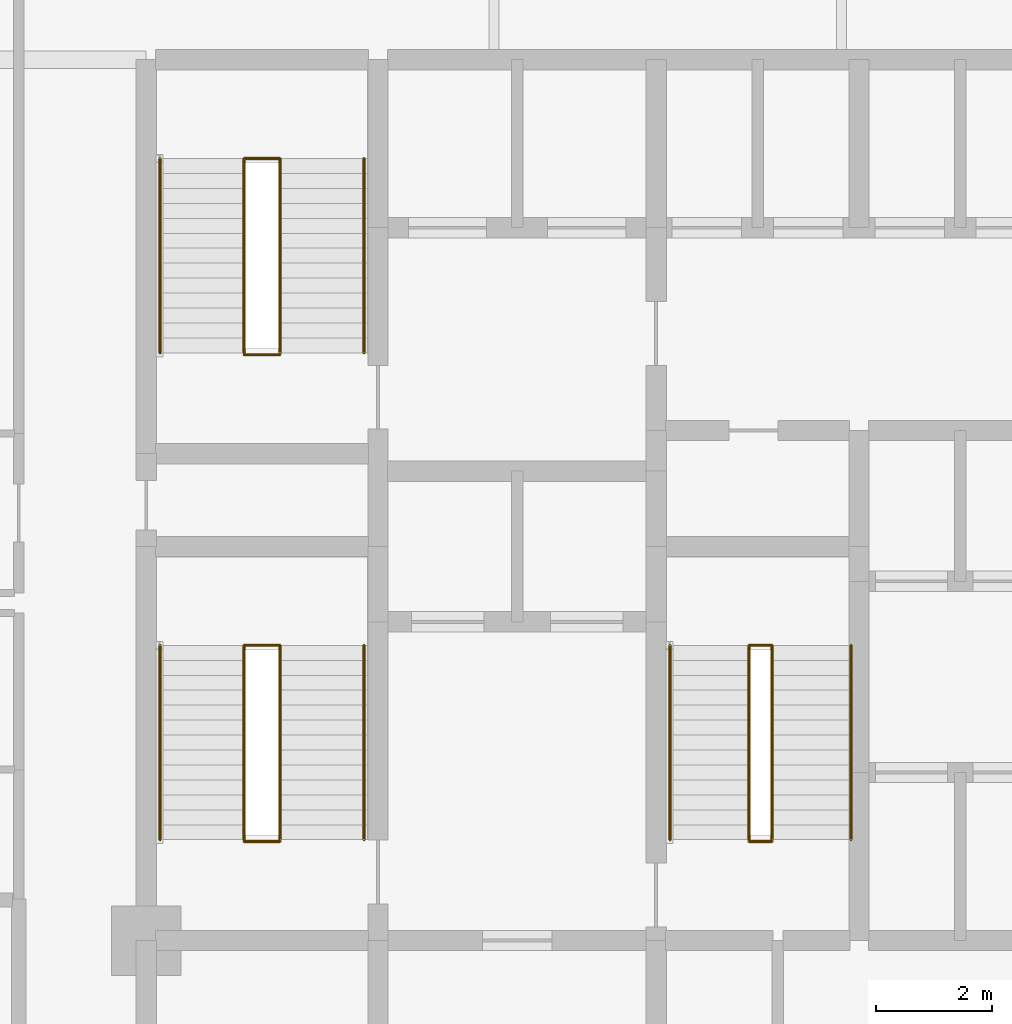
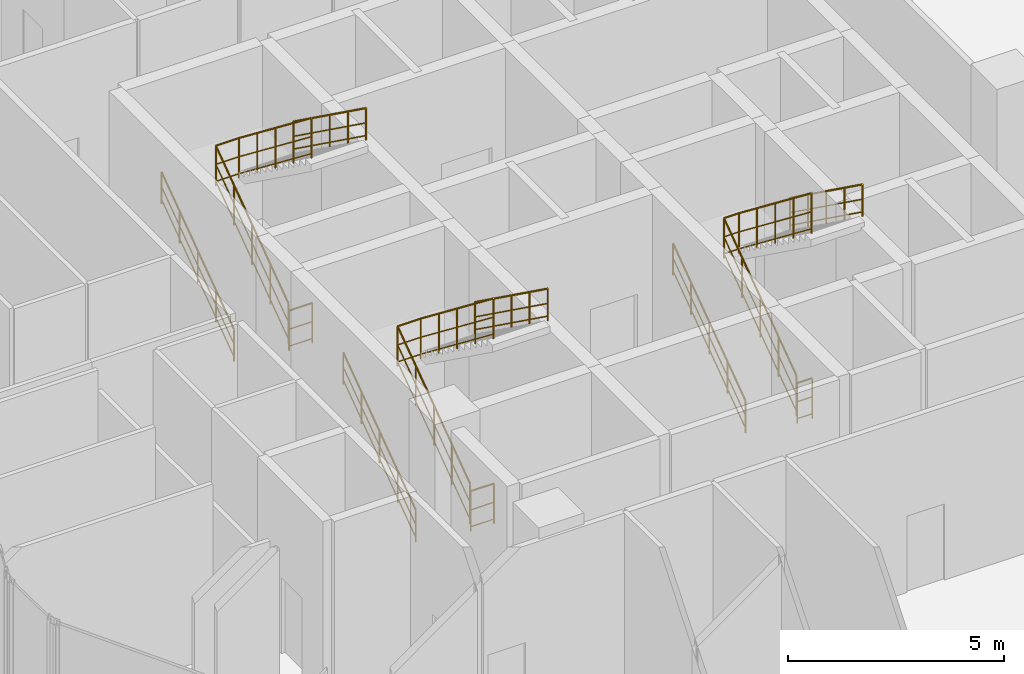
# One storey, part 36 of 36: 12 railings.
"""IFC4 building model written with IfcOpenShell, lengths in metres."""

from ifc_helpers import new_model, si_unit, direction, frame, origin, origin_2d, place, context, subcontext, project, spatial, circle, extrude, material, layer, layer_set, type_object, element, save


model = new_model("IFC4")

# Units and contexts
model_context = context("Model", 3, precision=1e-05, world=origin(), true_north=direction((0.0, 1.0)))
body_context = subcontext(model_context, "Body", "Model", "MODEL_VIEW")
ifc_project = project(units=[si_unit("LENGTHUNIT", "METRE"), si_unit("AREAUNIT", "SQUARE_METRE"), si_unit("VOLUMEUNIT", "CUBIC_METRE"), si_unit("PLANEANGLEUNIT", "RADIAN"), si_unit("MASSUNIT", "GRAM", prefix="KILO")], contexts=[model_context])

# Site, building, storey
site_placement = place(None, origin())
site = spatial("IfcSite", under=ifc_project, at=site_placement, CompositionType="ELEMENT")
building_placement = place(site_placement, origin())
building = spatial("IfcBuilding", under=site, at=building_placement, Name="Keshet Zoharim Tower", CompositionType="ELEMENT")
storey_placement = place(building_placement, frame((0.0, 0.0, 81.199951171875)))
storey = spatial("IfcBuildingStorey", under=building, at=storey_placement, Name="L19", CompositionType="ELEMENT", Elevation=81.199951171875)

# Railings
ifc_material = material(Name="Steel S355", Category="steel")
ifc_layer_1 = layer(ifc_material, 0.050048828125)
ifc_layer_set_1 = layer_set([ifc_layer_1], Name="Steel S355")
railing_type_1 = type_object("IfcRailingType", Name="RL-HND-092", PredefinedType="HANDRAIL", material=ifc_layer_set_1)
railing_1_placement = place(storey_placement, frame((15.239990234375, 24.43994140625, 0.185791015625)))
element("IfcRailing", 1, at=railing_1_placement, inside=storey, type_object=railing_type_1, Name="L19 ST-01 Flight 1 Wall Handrail", PredefinedType="HANDRAIL", context=body_context, shape_type="SweptSolid", body=[
    extrude(circle(Radius=0.02392578125, at=origin_2d()), frame((0.0, 0.0, 0.89599609375), z_axis=(0.0, 0.811600447766, 0.584212900565), x_axis=(-1.0, 0.0, 0.0)), (0.0, 0.0, 1.0), 4.132568359375),
    extrude(circle(Radius=0.01611328125, at=origin_2d()), frame((0.0, 0.0, 0.478271484375), z_axis=(0.0, 0.811600447766, 0.584212900565), x_axis=(-1.0, 0.0, 0.0)), (0.0, 0.0, 1.0), 4.132568359375),
    extrude(circle(Radius=0.01611328125, at=origin_2d()), frame((0.0, 0.0, 0.1201171875), z_axis=(0.0, 0.811600447766, 0.584212900565), x_axis=(-1.0, 0.0, 0.0)), (0.0, 0.0, 1.0), 4.132568359375),
    extrude(circle(Radius=0.02099609375, at=origin_2d()), origin(), (0.0, 0.0, 1.0), 0.871826171875),
    extrude(circle(Radius=0.02099609375, at=origin_2d()), frame((0.0, 0.83837890625, 0.603515625)), (0.0, 0.0, 1.0), 0.871826171875),
    extrude(circle(Radius=0.02099609375, at=origin_2d()), frame((0.0, 1.677001953125, 1.20703125)), (0.0, 0.0, 1.0), 0.871826171875),
    extrude(circle(Radius=0.02099609375, at=origin_2d()), frame((0.0, 2.515625, 1.810791015625)), (0.0, 0.0, 1.0), 0.871826171875),
    extrude(circle(Radius=0.02099609375, at=origin_2d()), frame((0.0, 3.35400390625, 2.414306640625)), (0.0, 0.0, 1.0), 0.871826171875),
])
railing_2_placement = place(storey_placement, frame((18.760009765625, 27.7939453125, 2.78564453125)))
element("IfcRailing", 2, at=railing_2_placement, inside=storey, type_object=railing_type_1, Name="L19 ST-01 Flight 2 Wall Handrail", PredefinedType="HANDRAIL", context=body_context, shape_type="SweptSolid", body=[
    extrude(circle(Radius=0.02392578125, at=origin_2d()), frame((0.0, 0.0, 0.89599609375), z_axis=(0.0, -0.811600447766, 0.584212900565), x_axis=(1.0, 0.0, 0.0)), (0.0, 0.0, 1.0), 4.132568359375),
    extrude(circle(Radius=0.01611328125, at=origin_2d()), frame((0.0, 0.0, 0.478271484375), z_axis=(0.0, -0.811600447766, 0.584212900565), x_axis=(1.0, 0.0, 0.0)), (0.0, 0.0, 1.0), 4.132568359375),
    extrude(circle(Radius=0.01611328125, at=origin_2d()), frame((0.0, 0.0, 0.1201171875), z_axis=(0.0, -0.811600447766, 0.584212900565), x_axis=(1.0, 0.0, 0.0)), (0.0, 0.0, 1.0), 4.132568359375),
    extrude(circle(Radius=0.02099609375, at=origin_2d()), origin(), (0.0, 0.0, 1.0), 0.871826171875),
    extrude(circle(Radius=0.02099609375, at=origin_2d()), frame((0.0, -0.83837890625, 0.603515625)), (0.0, 0.0, 1.0), 0.871826171875),
    extrude(circle(Radius=0.02099609375, at=origin_2d()), frame((0.0, -1.677001953125, 1.20703125)), (0.0, 0.0, 1.0), 0.871826171875),
    extrude(circle(Radius=0.02099609375, at=origin_2d()), frame((0.0, -2.515625, 1.810791015625)), (0.0, 0.0, 1.0), 0.871826171875),
    extrude(circle(Radius=0.02099609375, at=origin_2d()), frame((0.0, -3.35400390625, 2.414306640625)), (0.0, 0.0, 1.0), 0.871826171875),
])
railing_3_placement = place(storey_placement, frame((15.239990234375, 32.840087890625, 0.185791015625)))
element("IfcRailing", 3, at=railing_3_placement, inside=storey, type_object=railing_type_1, Name="L19 ST-02 Flight 1 Wall Handrail", PredefinedType="HANDRAIL", context=body_context, shape_type="SweptSolid", body=[
    extrude(circle(Radius=0.02392578125, at=origin_2d()), frame((0.0, 0.0, 0.89599609375), z_axis=(0.0, 0.811600447766, 0.584212900565), x_axis=(-1.0, 0.0, 0.0)), (0.0, 0.0, 1.0), 4.132568359375),
    extrude(circle(Radius=0.01611328125, at=origin_2d()), frame((0.0, 0.0, 0.478271484375), z_axis=(0.0, 0.811600447766, 0.584212900565), x_axis=(-1.0, 0.0, 0.0)), (0.0, 0.0, 1.0), 4.132568359375),
    extrude(circle(Radius=0.01611328125, at=origin_2d()), frame((0.0, 0.0, 0.1201171875), z_axis=(0.0, 0.811600447766, 0.584212900565), x_axis=(-1.0, 0.0, 0.0)), (0.0, 0.0, 1.0), 4.132568359375),
    extrude(circle(Radius=0.02099609375, at=origin_2d()), origin(), (0.0, 0.0, 1.0), 0.871826171875),
    extrude(circle(Radius=0.02099609375, at=origin_2d()), frame((0.0, 0.83837890625, 0.603515625)), (0.0, 0.0, 1.0), 0.871826171875),
    extrude(circle(Radius=0.02099609375, at=origin_2d()), frame((0.0, 1.677001953125, 1.20703125)), (0.0, 0.0, 1.0), 0.871826171875),
    extrude(circle(Radius=0.02099609375, at=origin_2d()), frame((0.0, 2.515625, 1.810791015625)), (0.0, 0.0, 1.0), 0.871826171875),
    extrude(circle(Radius=0.02099609375, at=origin_2d()), frame((0.0, 3.35400390625, 2.414306640625)), (0.0, 0.0, 1.0), 0.871826171875),
])
railing_4_placement = place(storey_placement, frame((18.760009765625, 36.194091796875, 2.78564453125)))
element("IfcRailing", 4, at=railing_4_placement, inside=storey, type_object=railing_type_1, Name="L19 ST-02 Flight 2 Wall Handrail", PredefinedType="HANDRAIL", context=body_context, shape_type="SweptSolid", body=[
    extrude(circle(Radius=0.02392578125, at=origin_2d()), frame((0.0, 0.0, 0.89599609375), z_axis=(0.0, -0.811600447766, 0.584212900565), x_axis=(1.0, 0.0, 0.0)), (0.0, 0.0, 1.0), 4.132568359375),
    extrude(circle(Radius=0.01611328125, at=origin_2d()), frame((0.0, 0.0, 0.478271484375), z_axis=(0.0, -0.811600447766, 0.584212900565), x_axis=(1.0, 0.0, 0.0)), (0.0, 0.0, 1.0), 4.132568359375),
    extrude(circle(Radius=0.01611328125, at=origin_2d()), frame((0.0, 0.0, 0.1201171875), z_axis=(0.0, -0.811600447766, 0.584212900565), x_axis=(1.0, 0.0, 0.0)), (0.0, 0.0, 1.0), 4.132568359375),
    extrude(circle(Radius=0.02099609375, at=origin_2d()), origin(), (0.0, 0.0, 1.0), 0.871826171875),
    extrude(circle(Radius=0.02099609375, at=origin_2d()), frame((0.0, -0.83837890625, 0.603515625)), (0.0, 0.0, 1.0), 0.871826171875),
    extrude(circle(Radius=0.02099609375, at=origin_2d()), frame((0.0, -1.677001953125, 1.20703125)), (0.0, 0.0, 1.0), 0.871826171875),
    extrude(circle(Radius=0.02099609375, at=origin_2d()), frame((0.0, -2.515625, 1.810791015625)), (0.0, 0.0, 1.0), 0.871826171875),
    extrude(circle(Radius=0.02099609375, at=origin_2d()), frame((0.0, -3.35400390625, 2.414306640625)), (0.0, 0.0, 1.0), 0.871826171875),
])
railing_5_placement = place(storey_placement, frame((24.0400390625, 24.43994140625, 0.185791015625)))
element("IfcRailing", 5, at=railing_5_placement, inside=storey, type_object=railing_type_1, Name="L19 ST-03 Flight 1 Wall Handrail", PredefinedType="HANDRAIL", context=body_context, shape_type="SweptSolid", body=[
    extrude(circle(Radius=0.02392578125, at=origin_2d()), frame((0.0, 0.0, 0.89599609375), z_axis=(0.0, 0.811600447766, 0.584212900565), x_axis=(-1.0, 0.0, 0.0)), (0.0, 0.0, 1.0), 4.132568359375),
    extrude(circle(Radius=0.01611328125, at=origin_2d()), frame((0.0, 0.0, 0.478271484375), z_axis=(0.0, 0.811600447766, 0.584212900565), x_axis=(-1.0, 0.0, 0.0)), (0.0, 0.0, 1.0), 4.132568359375),
    extrude(circle(Radius=0.01611328125, at=origin_2d()), frame((0.0, 0.0, 0.1201171875), z_axis=(0.0, 0.811600447766, 0.584212900565), x_axis=(-1.0, 0.0, 0.0)), (0.0, 0.0, 1.0), 4.132568359375),
    extrude(circle(Radius=0.02099609375, at=origin_2d()), origin(), (0.0, 0.0, 1.0), 0.871826171875),
    extrude(circle(Radius=0.02099609375, at=origin_2d()), frame((0.0, 0.83837890625, 0.603515625)), (0.0, 0.0, 1.0), 0.871826171875),
    extrude(circle(Radius=0.02099609375, at=origin_2d()), frame((0.0, 1.677001953125, 1.20703125)), (0.0, 0.0, 1.0), 0.871826171875),
    extrude(circle(Radius=0.02099609375, at=origin_2d()), frame((0.0, 2.515625, 1.810791015625)), (0.0, 0.0, 1.0), 0.871826171875),
    extrude(circle(Radius=0.02099609375, at=origin_2d()), frame((0.0, 3.35400390625, 2.414306640625)), (0.0, 0.0, 1.0), 0.871826171875),
])
railing_6_placement = place(storey_placement, frame((27.159912109375, 27.7939453125, 2.78564453125)))
element("IfcRailing", 6, at=railing_6_placement, inside=storey, type_object=railing_type_1, Name="L19 ST-03 Flight 2 Wall Handrail", PredefinedType="HANDRAIL", context=body_context, shape_type="SweptSolid", body=[
    extrude(circle(Radius=0.02392578125, at=origin_2d()), frame((0.0, 0.0, 0.89599609375), z_axis=(0.0, -0.811600447766, 0.584212900565), x_axis=(1.0, 0.0, 0.0)), (0.0, 0.0, 1.0), 4.132568359375),
    extrude(circle(Radius=0.01611328125, at=origin_2d()), frame((0.0, 0.0, 0.478271484375), z_axis=(0.0, -0.811600447766, 0.584212900565), x_axis=(1.0, 0.0, 0.0)), (0.0, 0.0, 1.0), 4.132568359375),
    extrude(circle(Radius=0.01611328125, at=origin_2d()), frame((0.0, 0.0, 0.1201171875), z_axis=(0.0, -0.811600447766, 0.584212900565), x_axis=(1.0, 0.0, 0.0)), (0.0, 0.0, 1.0), 4.132568359375),
    extrude(circle(Radius=0.02099609375, at=origin_2d()), origin(), (0.0, 0.0, 1.0), 0.871826171875),
    extrude(circle(Radius=0.02099609375, at=origin_2d()), frame((0.0, -0.83837890625, 0.603515625)), (0.0, 0.0, 1.0), 0.871826171875),
    extrude(circle(Radius=0.02099609375, at=origin_2d()), frame((0.0, -1.677001953125, 1.20703125)), (0.0, 0.0, 1.0), 0.871826171875),
    extrude(circle(Radius=0.02099609375, at=origin_2d()), frame((0.0, -2.515625, 1.810791015625)), (0.0, 0.0, 1.0), 0.871826171875),
    extrude(circle(Radius=0.02099609375, at=origin_2d()), frame((0.0, -3.35400390625, 2.414306640625)), (0.0, 0.0, 1.0), 0.871826171875),
])
ifc_layer_2 = layer(ifc_material, 0.06005859375)
ifc_layer_set_2 = layer_set([ifc_layer_2], Name="Steel S355")
railing_type_2 = type_object("IfcRailingType", Name="RL-STG-115", PredefinedType="GUARDRAIL", material=ifc_layer_set_2)
railing_7_placement = place(storey_placement, frame((16.68994140625, 24.43994140625, 0.185791015625)))
element("IfcRailing", 7, at=railing_7_placement, inside=storey, type_object=railing_type_2, Name="L19 ST-01 Inner Well Guardrail", PredefinedType="GUARDRAIL", context=body_context, shape_type="SweptSolid", body=[
    extrude(circle(Radius=0.02392578125, at=origin_2d()), frame((0.0, 0.0, 1.1259765625), z_axis=(0.0, 0.811600447766, 0.584212900565), x_axis=(-1.0, 0.0, 0.0)), (0.0, 0.0, 1.0), 4.132568359375),
    extrude(circle(Radius=0.01611328125, at=origin_2d()), frame((0.0, 0.0, 0.597900390625), z_axis=(0.0, 0.811600447766, 0.584212900565), x_axis=(-1.0, 0.0, 0.0)), (0.0, 0.0, 1.0), 4.132568359375),
    extrude(circle(Radius=0.01611328125, at=origin_2d()), frame((0.0, 0.0, 0.1201171875), z_axis=(0.0, 0.811600447766, 0.584212900565), x_axis=(-1.0, 0.0, 0.0)), (0.0, 0.0, 1.0), 4.132568359375),
    extrude(circle(Radius=0.02392578125, at=origin_2d()), frame((0.0, 3.35400390625, 3.5400390625), z_axis=(1.0, 0.0, 0.0), x_axis=(0.0, 1.0, 0.0)), (0.0, 0.0, 1.0), 0.6201171875),
    extrude(circle(Radius=0.01611328125, at=origin_2d()), frame((0.0, 3.35400390625, 3.01220703125), z_axis=(1.0, 0.0, 0.0), x_axis=(0.0, 1.0, 0.0)), (0.0, 0.0, 1.0), 0.6201171875),
    extrude(circle(Radius=0.01611328125, at=origin_2d()), frame((0.0, 3.35400390625, 2.534423828125), z_axis=(1.0, 0.0, 0.0), x_axis=(0.0, 1.0, 0.0)), (0.0, 0.0, 1.0), 0.6201171875),
    extrude(circle(Radius=0.02392578125, at=origin_2d()), frame((0.6201171875, 3.35400390625, 3.5400390625), z_axis=(0.0, -0.790357944774, 0.612645345312), x_axis=(1.0, 0.0, 0.0)), (0.0, 0.0, 1.0), 4.24365234375),
    extrude(circle(Radius=0.01611328125, at=origin_2d()), frame((0.6201171875, 3.35400390625, 3.01220703125), z_axis=(0.0, -0.790357944774, 0.612645345312), x_axis=(1.0, 0.0, 0.0)), (0.0, 0.0, 1.0), 4.24365234375),
    extrude(circle(Radius=0.01611328125, at=origin_2d()), frame((0.6201171875, 3.35400390625, 2.534423828125), z_axis=(0.0, -0.790357944774, 0.612645345312), x_axis=(1.0, 0.0, 0.0)), (0.0, 0.0, 1.0), 4.24365234375),
    extrude(circle(Radius=0.02099609375, at=origin_2d()), origin(), (0.0, 0.0, 1.0), 1.101806640625),
    extrude(circle(Radius=0.02099609375, at=origin_2d()), frame((0.0, 0.83837890625, 0.603515625)), (0.0, 0.0, 1.0), 1.101806640625),
    extrude(circle(Radius=0.02099609375, at=origin_2d()), frame((0.0, 1.677001953125, 1.20703125)), (0.0, 0.0, 1.0), 1.101806640625),
    extrude(circle(Radius=0.02099609375, at=origin_2d()), frame((0.0, 2.515625, 1.810791015625)), (0.0, 0.0, 1.0), 1.101806640625),
    extrude(circle(Radius=0.02099609375, at=origin_2d()), frame((0.0, 3.35400390625, 2.414306640625)), (0.0, 0.0, 1.0), 1.101806640625),
    extrude(circle(Radius=0.02099609375, at=origin_2d()), frame((0.6201171875, 3.35400390625, 2.414306640625)), (0.0, 0.0, 1.0), 1.101806640625),
    extrude(circle(Radius=0.02099609375, at=origin_2d()), frame((0.6201171875, 2.515625, 3.064208984375)), (0.0, 0.0, 1.0), 1.101806640625),
    extrude(circle(Radius=0.02099609375, at=origin_2d()), frame((0.6201171875, 1.677001953125, 3.71435546875)), (0.0, 0.0, 1.0), 1.101806640625),
    extrude(circle(Radius=0.02099609375, at=origin_2d()), frame((0.6201171875, 0.83837890625, 4.3642578125)), (0.0, 0.0, 1.0), 1.101806640625),
    extrude(circle(Radius=0.02099609375, at=origin_2d()), frame((0.6201171875, 0.0, 5.01416015625)), (0.0, 0.0, 1.0), 1.101806640625),
])
railing_8_placement = place(storey_placement, frame((16.68994140625, 24.409912109375, 0.0)))
element("IfcRailing", 8, at=railing_8_placement, inside=storey, type_object=railing_type_2, Name="L19 ST-01 Stairwell Floor Guardrail", PredefinedType="GUARDRAIL", context=body_context, shape_type="SweptSolid", body=[
    extrude(circle(Radius=0.02392578125, at=origin_2d()), frame((0.0, 0.0, 1.1259765625), z_axis=(1.0, 0.0, 0.0), x_axis=(0.0, 1.0, 0.0)), (0.0, 0.0, 1.0), 0.6201171875),
    extrude(circle(Radius=0.01611328125, at=origin_2d()), frame((0.0, 0.0, 0.597900390625), z_axis=(1.0, 0.0, 0.0), x_axis=(0.0, 1.0, 0.0)), (0.0, 0.0, 1.0), 0.6201171875),
    extrude(circle(Radius=0.01611328125, at=origin_2d()), frame((0.0, 0.0, 0.1201171875), z_axis=(1.0, 0.0, 0.0), x_axis=(0.0, 1.0, 0.0)), (0.0, 0.0, 1.0), 0.6201171875),
    extrude(circle(Radius=0.02099609375, at=origin_2d()), origin(), (0.0, 0.0, 1.0), 1.101806640625),
    extrude(circle(Radius=0.02099609375, at=origin_2d()), frame((0.6201171875, 0.0, 0.0)), (0.0, 0.0, 1.0), 1.101806640625),
])
railing_9_placement = place(storey_placement, frame((16.68994140625, 32.840087890625, 0.185791015625)))
element("IfcRailing", 9, at=railing_9_placement, inside=storey, type_object=railing_type_2, Name="L19 ST-02 Inner Well Guardrail", PredefinedType="GUARDRAIL", context=body_context, shape_type="SweptSolid", body=[
    extrude(circle(Radius=0.02392578125, at=origin_2d()), frame((0.0, 0.0, 1.1259765625), z_axis=(0.0, 0.811600447766, 0.584212900565), x_axis=(-1.0, 0.0, 0.0)), (0.0, 0.0, 1.0), 4.132568359375),
    extrude(circle(Radius=0.01611328125, at=origin_2d()), frame((0.0, 0.0, 0.597900390625), z_axis=(0.0, 0.811600447766, 0.584212900565), x_axis=(-1.0, 0.0, 0.0)), (0.0, 0.0, 1.0), 4.132568359375),
    extrude(circle(Radius=0.01611328125, at=origin_2d()), frame((0.0, 0.0, 0.1201171875), z_axis=(0.0, 0.811600447766, 0.584212900565), x_axis=(-1.0, 0.0, 0.0)), (0.0, 0.0, 1.0), 4.132568359375),
    extrude(circle(Radius=0.02392578125, at=origin_2d()), frame((0.0, 3.35400390625, 3.5400390625), z_axis=(1.0, 0.0, 0.0), x_axis=(0.0, 1.0, 0.0)), (0.0, 0.0, 1.0), 0.6201171875),
    extrude(circle(Radius=0.01611328125, at=origin_2d()), frame((0.0, 3.35400390625, 3.01220703125), z_axis=(1.0, 0.0, 0.0), x_axis=(0.0, 1.0, 0.0)), (0.0, 0.0, 1.0), 0.6201171875),
    extrude(circle(Radius=0.01611328125, at=origin_2d()), frame((0.0, 3.35400390625, 2.534423828125), z_axis=(1.0, 0.0, 0.0), x_axis=(0.0, 1.0, 0.0)), (0.0, 0.0, 1.0), 0.6201171875),
    extrude(circle(Radius=0.02392578125, at=origin_2d()), frame((0.6201171875, 3.35400390625, 3.5400390625), z_axis=(0.0, -0.790357944774, 0.612645345312), x_axis=(1.0, 0.0, 0.0)), (0.0, 0.0, 1.0), 4.24365234375),
    extrude(circle(Radius=0.01611328125, at=origin_2d()), frame((0.6201171875, 3.35400390625, 3.01220703125), z_axis=(0.0, -0.790357944774, 0.612645345312), x_axis=(1.0, 0.0, 0.0)), (0.0, 0.0, 1.0), 4.24365234375),
    extrude(circle(Radius=0.01611328125, at=origin_2d()), frame((0.6201171875, 3.35400390625, 2.534423828125), z_axis=(0.0, -0.790357944774, 0.612645345312), x_axis=(1.0, 0.0, 0.0)), (0.0, 0.0, 1.0), 4.24365234375),
    extrude(circle(Radius=0.02099609375, at=origin_2d()), origin(), (0.0, 0.0, 1.0), 1.101806640625),
    extrude(circle(Radius=0.02099609375, at=origin_2d()), frame((0.0, 0.83837890625, 0.603515625)), (0.0, 0.0, 1.0), 1.101806640625),
    extrude(circle(Radius=0.02099609375, at=origin_2d()), frame((0.0, 1.677001953125, 1.20703125)), (0.0, 0.0, 1.0), 1.101806640625),
    extrude(circle(Radius=0.02099609375, at=origin_2d()), frame((0.0, 2.515625, 1.810791015625)), (0.0, 0.0, 1.0), 1.101806640625),
    extrude(circle(Radius=0.02099609375, at=origin_2d()), frame((0.0, 3.35400390625, 2.414306640625)), (0.0, 0.0, 1.0), 1.101806640625),
    extrude(circle(Radius=0.02099609375, at=origin_2d()), frame((0.6201171875, 3.35400390625, 2.414306640625)), (0.0, 0.0, 1.0), 1.101806640625),
    extrude(circle(Radius=0.02099609375, at=origin_2d()), frame((0.6201171875, 2.515625, 3.064208984375)), (0.0, 0.0, 1.0), 1.101806640625),
    extrude(circle(Radius=0.02099609375, at=origin_2d()), frame((0.6201171875, 1.677001953125, 3.71435546875)), (0.0, 0.0, 1.0), 1.101806640625),
    extrude(circle(Radius=0.02099609375, at=origin_2d()), frame((0.6201171875, 0.83837890625, 4.3642578125)), (0.0, 0.0, 1.0), 1.101806640625),
    extrude(circle(Radius=0.02099609375, at=origin_2d()), frame((0.6201171875, 0.0, 5.01416015625)), (0.0, 0.0, 1.0), 1.101806640625),
])
railing_10_placement = place(storey_placement, frame((16.68994140625, 32.81005859375, 0.0)))
element("IfcRailing", 10, at=railing_10_placement, inside=storey, type_object=railing_type_2, Name="L19 ST-02 Stairwell Floor Guardrail", PredefinedType="GUARDRAIL", context=body_context, shape_type="SweptSolid", body=[
    extrude(circle(Radius=0.02392578125, at=origin_2d()), frame((0.0, 0.0, 1.1259765625), z_axis=(1.0, 0.0, 0.0), x_axis=(0.0, 1.0, 0.0)), (0.0, 0.0, 1.0), 0.6201171875),
    extrude(circle(Radius=0.01611328125, at=origin_2d()), frame((0.0, 0.0, 0.597900390625), z_axis=(1.0, 0.0, 0.0), x_axis=(0.0, 1.0, 0.0)), (0.0, 0.0, 1.0), 0.6201171875),
    extrude(circle(Radius=0.01611328125, at=origin_2d()), frame((0.0, 0.0, 0.1201171875), z_axis=(1.0, 0.0, 0.0), x_axis=(0.0, 1.0, 0.0)), (0.0, 0.0, 1.0), 0.6201171875),
    extrude(circle(Radius=0.02099609375, at=origin_2d()), origin(), (0.0, 0.0, 1.0), 1.101806640625),
    extrude(circle(Radius=0.02099609375, at=origin_2d()), frame((0.6201171875, 0.0, 0.0)), (0.0, 0.0, 1.0), 1.101806640625),
])
railing_11_placement = place(storey_placement, frame((25.39990234375, 24.43994140625, 0.185791015625)))
element("IfcRailing", 11, at=railing_11_placement, inside=storey, type_object=railing_type_2, Name="L19 ST-03 Inner Well Guardrail", PredefinedType="GUARDRAIL", context=body_context, shape_type="SweptSolid", body=[
    extrude(circle(Radius=0.02392578125, at=origin_2d()), frame((0.0, 0.0, 1.1259765625), z_axis=(0.0, 0.811600447766, 0.584212900565), x_axis=(-1.0, 0.0, 0.0)), (0.0, 0.0, 1.0), 4.132568359375),
    extrude(circle(Radius=0.01611328125, at=origin_2d()), frame((0.0, 0.0, 0.597900390625), z_axis=(0.0, 0.811600447766, 0.584212900565), x_axis=(-1.0, 0.0, 0.0)), (0.0, 0.0, 1.0), 4.132568359375),
    extrude(circle(Radius=0.01611328125, at=origin_2d()), frame((0.0, 0.0, 0.1201171875), z_axis=(0.0, 0.811600447766, 0.584212900565), x_axis=(-1.0, 0.0, 0.0)), (0.0, 0.0, 1.0), 4.132568359375),
    extrude(circle(Radius=0.02392578125, at=origin_2d()), frame((0.0, 3.35400390625, 3.5400390625), z_axis=(1.0, 0.0, 0.0), x_axis=(0.0, 1.0, 0.0)), (0.0, 0.0, 1.0), 0.400146484375),
    extrude(circle(Radius=0.01611328125, at=origin_2d()), frame((0.0, 3.35400390625, 3.01220703125), z_axis=(1.0, 0.0, 0.0), x_axis=(0.0, 1.0, 0.0)), (0.0, 0.0, 1.0), 0.400146484375),
    extrude(circle(Radius=0.01611328125, at=origin_2d()), frame((0.0, 3.35400390625, 2.534423828125), z_axis=(1.0, 0.0, 0.0), x_axis=(0.0, 1.0, 0.0)), (0.0, 0.0, 1.0), 0.400146484375),
    extrude(circle(Radius=0.02392578125, at=origin_2d()), frame((0.400146484375, 3.35400390625, 3.5400390625), z_axis=(0.0, -0.790357944774, 0.612645345312), x_axis=(1.0, 0.0, 0.0)), (0.0, 0.0, 1.0), 4.24365234375),
    extrude(circle(Radius=0.01611328125, at=origin_2d()), frame((0.400146484375, 3.35400390625, 3.01220703125), z_axis=(0.0, -0.790357944774, 0.612645345312), x_axis=(1.0, 0.0, 0.0)), (0.0, 0.0, 1.0), 4.24365234375),
    extrude(circle(Radius=0.01611328125, at=origin_2d()), frame((0.400146484375, 3.35400390625, 2.534423828125), z_axis=(0.0, -0.790357944774, 0.612645345312), x_axis=(1.0, 0.0, 0.0)), (0.0, 0.0, 1.0), 4.24365234375),
    extrude(circle(Radius=0.02099609375, at=origin_2d()), origin(), (0.0, 0.0, 1.0), 1.101806640625),
    extrude(circle(Radius=0.02099609375, at=origin_2d()), frame((0.0, 0.83837890625, 0.603515625)), (0.0, 0.0, 1.0), 1.101806640625),
    extrude(circle(Radius=0.02099609375, at=origin_2d()), frame((0.0, 1.677001953125, 1.20703125)), (0.0, 0.0, 1.0), 1.101806640625),
    extrude(circle(Radius=0.02099609375, at=origin_2d()), frame((0.0, 2.515625, 1.810791015625)), (0.0, 0.0, 1.0), 1.101806640625),
    extrude(circle(Radius=0.02099609375, at=origin_2d()), frame((0.0, 3.35400390625, 2.414306640625)), (0.0, 0.0, 1.0), 1.101806640625),
    extrude(circle(Radius=0.02099609375, at=origin_2d()), frame((0.400146484375, 3.35400390625, 2.414306640625)), (0.0, 0.0, 1.0), 1.101806640625),
    extrude(circle(Radius=0.02099609375, at=origin_2d()), frame((0.400146484375, 2.515625, 3.064208984375)), (0.0, 0.0, 1.0), 1.101806640625),
    extrude(circle(Radius=0.02099609375, at=origin_2d()), frame((0.400146484375, 1.677001953125, 3.71435546875)), (0.0, 0.0, 1.0), 1.101806640625),
    extrude(circle(Radius=0.02099609375, at=origin_2d()), frame((0.400146484375, 0.83837890625, 4.3642578125)), (0.0, 0.0, 1.0), 1.101806640625),
    extrude(circle(Radius=0.02099609375, at=origin_2d()), frame((0.400146484375, 0.0, 5.01416015625)), (0.0, 0.0, 1.0), 1.101806640625),
])
railing_12_placement = place(storey_placement, frame((25.39990234375, 24.409912109375, 0.0)))
element("IfcRailing", 12, at=railing_12_placement, inside=storey, type_object=railing_type_2, Name="L19 ST-03 Stairwell Floor Guardrail", PredefinedType="GUARDRAIL", context=body_context, shape_type="SweptSolid", body=[
    extrude(circle(Radius=0.02392578125, at=origin_2d()), frame((0.0, 0.0, 1.1259765625), z_axis=(1.0, 0.0, 0.0), x_axis=(0.0, 1.0, 0.0)), (0.0, 0.0, 1.0), 0.400146484375),
    extrude(circle(Radius=0.01611328125, at=origin_2d()), frame((0.0, 0.0, 0.597900390625), z_axis=(1.0, 0.0, 0.0), x_axis=(0.0, 1.0, 0.0)), (0.0, 0.0, 1.0), 0.400146484375),
    extrude(circle(Radius=0.01611328125, at=origin_2d()), frame((0.0, 0.0, 0.1201171875), z_axis=(1.0, 0.0, 0.0), x_axis=(0.0, 1.0, 0.0)), (0.0, 0.0, 1.0), 0.400146484375),
    extrude(circle(Radius=0.02099609375, at=origin_2d()), origin(), (0.0, 0.0, 1.0), 1.101806640625),
    extrude(circle(Radius=0.02099609375, at=origin_2d()), frame((0.400146484375, 0.0, 0.0)), (0.0, 0.0, 1.0), 1.101806640625),
])

save(model, "model.ifc")
